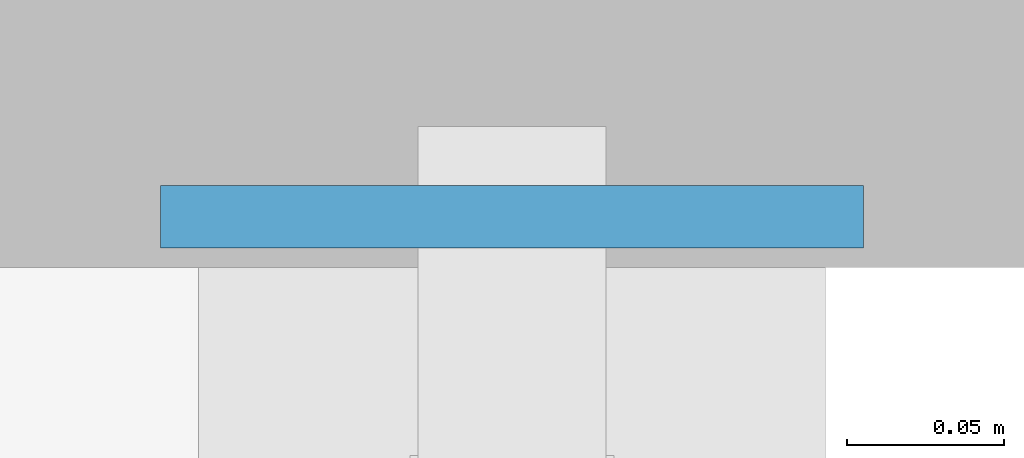
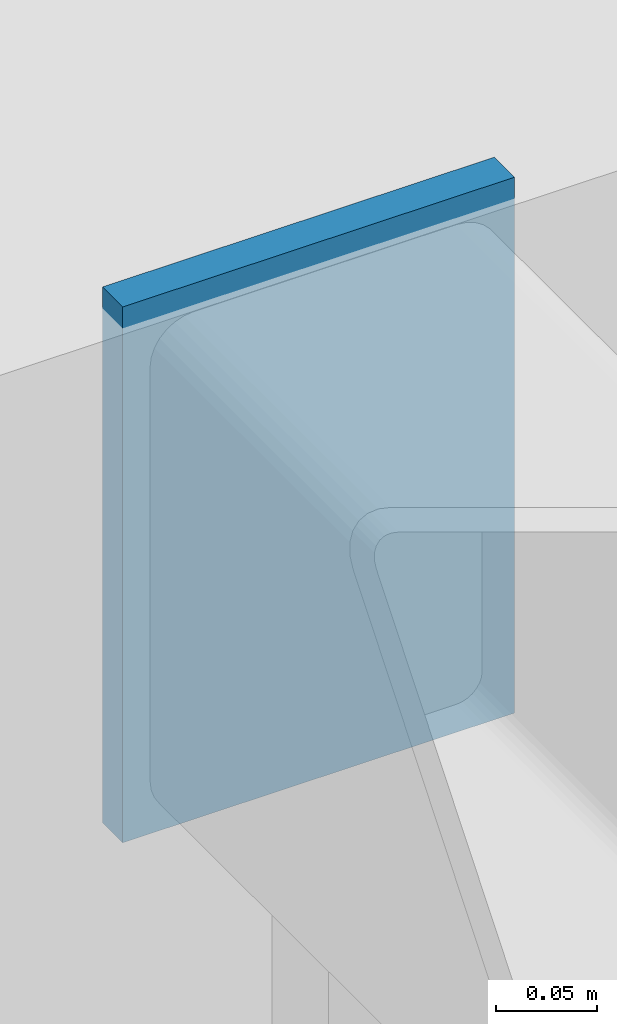
# One storey, part 68 of 96: 1 discrete accessory.
"""IFC4 building model written with IfcOpenShell, lengths in metres."""

from ifc_helpers import new_model, si_unit, direction, frame, origin, origin_2d, place, context, subcontext, project, spatial, rectangle, extrude, material, layer, layer_set, type_object, element, save


model = new_model("IFC4")

# Units and contexts
model_context = context("Model", 3, precision=1e-05, world=origin(), true_north=direction((0.0, 1.0)))
body_context = subcontext(model_context, "Body", "Model", "MODEL_VIEW")
ifc_project = project(units=[si_unit("LENGTHUNIT", "METRE"), si_unit("AREAUNIT", "SQUARE_METRE"), si_unit("VOLUMEUNIT", "CUBIC_METRE"), si_unit("PLANEANGLEUNIT", "RADIAN"), si_unit("MASSUNIT", "GRAM", prefix="KILO")], contexts=[model_context])

# Site, building, storey
site_placement = place(None, origin())
site = spatial("IfcSite", under=ifc_project, at=site_placement, CompositionType="ELEMENT")
building_placement = place(site_placement, origin())
building = spatial("IfcBuilding", under=site, at=building_placement, Name="Kranzveld Transit Interchange", CompositionType="ELEMENT")
storey_placement = place(building_placement, frame((0.0, 0.0, 9.52001953125)))
storey = spatial("IfcBuildingStorey", under=building, at=storey_placement, Name="L02", CompositionType="ELEMENT", Elevation=9.52001953125)

# Discrete accessory
ifc_material = material(Name="Steel S355JR", Category="steel")
ifc_layer = layer(ifc_material, 0.02001953125)
ifc_layer_set = layer_set([ifc_layer], Name="Steel S355JR")
discrete_accessory_type = type_object("IfcDiscreteAccessoryType", Name="Hollow Section End Cap Bracket 20 S355JR", PredefinedType="BRACKET", material=ifc_layer_set)
discrete_accessory_placement = place(storey_placement, frame((33.60009765625, 71.7060546875, 3.419921875), z_axis=(0.0, 1.0, 0.0), x_axis=(-1.0, 0.0, 0.0)))
element("IfcDiscreteAccessory", 1, at=discrete_accessory_placement, inside=storey, type_object=discrete_accessory_type, Name="Hollow Section End Cap SP-RHS300-2", PredefinedType="BRACKET", context=body_context, shape_type="SweptSolid", body=[
    extrude(rectangle(XDim=0.22412109375, YDim=0.323974609375, at=origin_2d()), origin(), (0.0, 0.0, 1.0), 0.02001953125),
])

save(model, "model.ifc")
